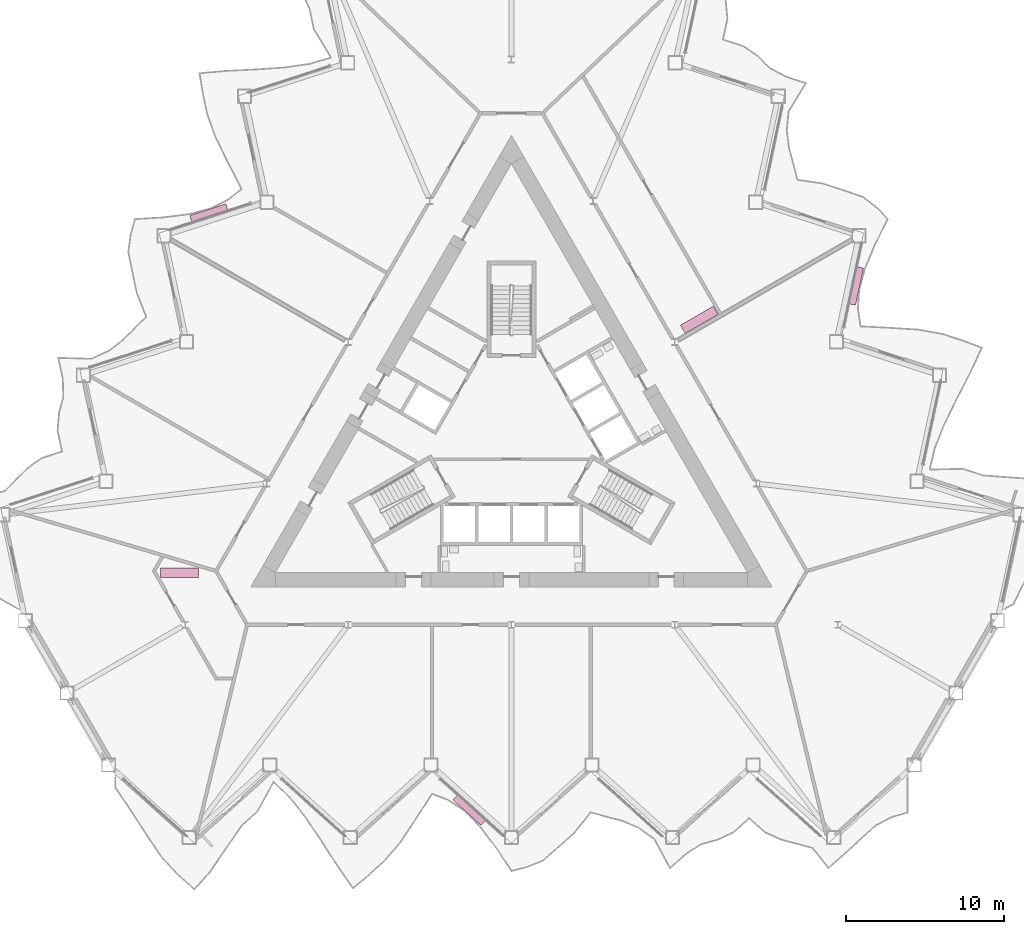
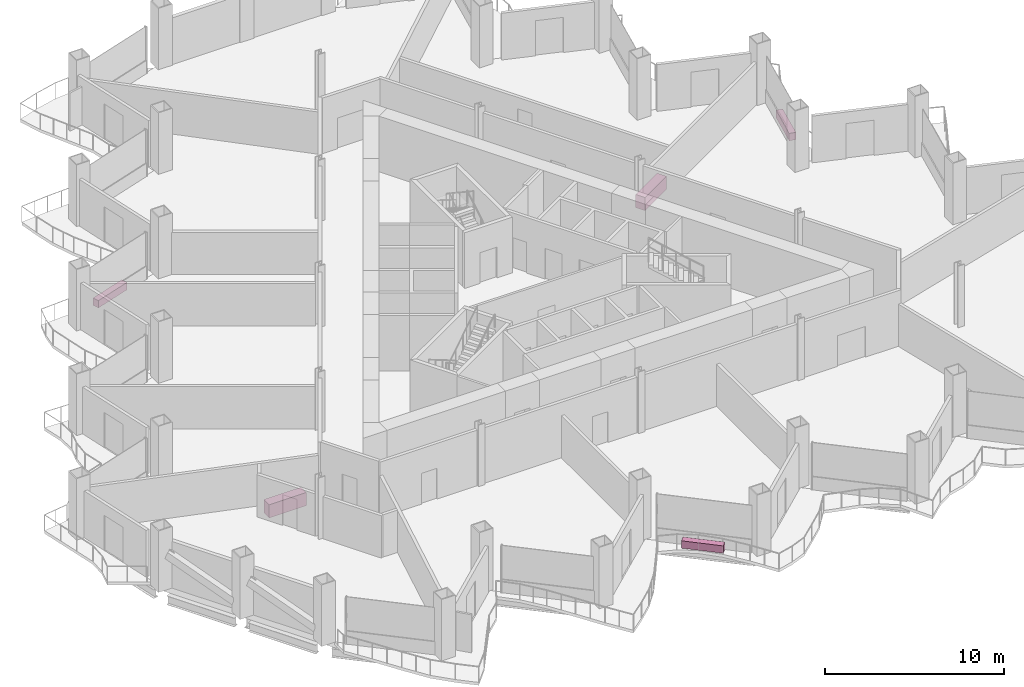
# One storey, part 21 of 21: 5 furniture elements.
"""IFC4 building model written with IfcOpenShell, lengths in metres."""

from ifc_helpers import new_model, si_unit, direction, frame, origin, origin_2d, place, context, subcontext, project, spatial, rectangle, extrude, material, type_object, element, save


model = new_model("IFC4")

# Units and contexts
model_context = context("Model", 3, precision=1e-05, world=origin(), true_north=direction((0.0, 1.0)))
body_context = subcontext(model_context, "Body", "Model", "MODEL_VIEW")
ifc_project = project(units=[si_unit("LENGTHUNIT", "METRE"), si_unit("AREAUNIT", "SQUARE_METRE"), si_unit("VOLUMEUNIT", "CUBIC_METRE"), si_unit("PLANEANGLEUNIT", "RADIAN"), si_unit("MASSUNIT", "GRAM", prefix="KILO")], contexts=[model_context])

# Site, building, storey
site_placement = place(None, origin())
site = spatial("IfcSite", under=ifc_project, at=site_placement, CompositionType="ELEMENT")
building_placement = place(site_placement, origin())
building = spatial("IfcBuilding", under=site, at=building_placement, Name="Cormorant Prow Tower", CompositionType="ELEMENT")
storey_placement = place(building_placement, frame((0.0, 0.0, 120.60009765625)))
storey = spatial("IfcBuildingStorey", under=building, at=storey_placement, Name="L25", CompositionType="ELEMENT", Elevation=120.60009765625)

# Furniture
ifc_material_1 = material(Name="Terracotta", Category="masonry")
furniture_type_1 = type_object("IfcFurnitureType", Name="Balcony planter 2400x400x500", AssemblyPlace="NOTDEFINED", PredefinedType="USERDEFINED", material=ifc_material_1)
for number, where, z_axis, x_axis, name in (
    (1, (-2.67626953125, -23.67041015625, 0.0), (0.0, 0.0, 1.0), (0.74314483343, -0.669130597526, 0.0), "Balcony planter S04"),
    (2, (21.83740234375, 9.517333984375, 0.0), (0.0, 0.0, 1.0), (0.207911647216, 0.978147610002, 0.0), "Balcony planter ENE04"),
    (3, (-19.160888671875, 14.15283203125, 0.0), (0.0, 0.0, 1.0), (-0.951056506231, -0.309017025349, 0.0), "Balcony planter WNW04"),
):
    element("IfcFurniture", number, at=place(storey_placement, frame(where, z_axis=z_axis, x_axis=x_axis)), inside=storey, type_object=furniture_type_1, Name=name, ObjectType="PLANTER", PredefinedType="USERDEFINED", context=body_context, shape_type="SweptSolid", body=[
        extrude(rectangle(XDim=2.39990234375, YDim=0.39990234375, at=origin_2d()), origin(), (0.0, 0.0, 1.0), 0.5),
    ])
ifc_material_2 = material(Name="Timber joinery", Category="wood")
furniture_type_2 = type_object("IfcFurnitureType", Name="Kitchen counter 2400x600", AssemblyPlace="NOTDEFINED", PredefinedType="NOTDEFINED", material=ifc_material_2)
for number, where, z_axis, x_axis, name in (
    (4, (11.885498046875, 7.3759765625, 0.0), (0.0, 0.0, 1.0), (-0.866025403784, -0.5, 0.0), "Kitchen counter"),
    (5, (-21.01025390625, -8.63134765625, 0.0), (0.0, 0.0, 1.0), (1.0, 0.0, 0.0), "Kitchen counter"),
):
    element("IfcFurniture", number, at=place(storey_placement, frame(where, z_axis=z_axis, x_axis=x_axis)), inside=storey, type_object=furniture_type_2, Name=name, PredefinedType="NOTDEFINED", context=body_context, shape_type="SweptSolid", body=[
        extrude(rectangle(XDim=2.39990234375, YDim=0.60009765625, at=origin_2d()), origin(), (0.0, 0.0, 1.0), 0.89990234375),
    ])

save(model, "model.ifc")
